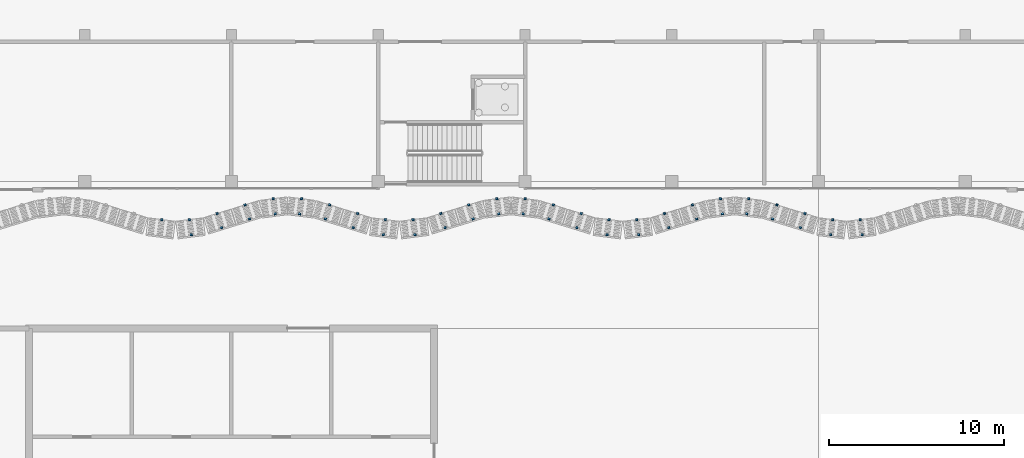
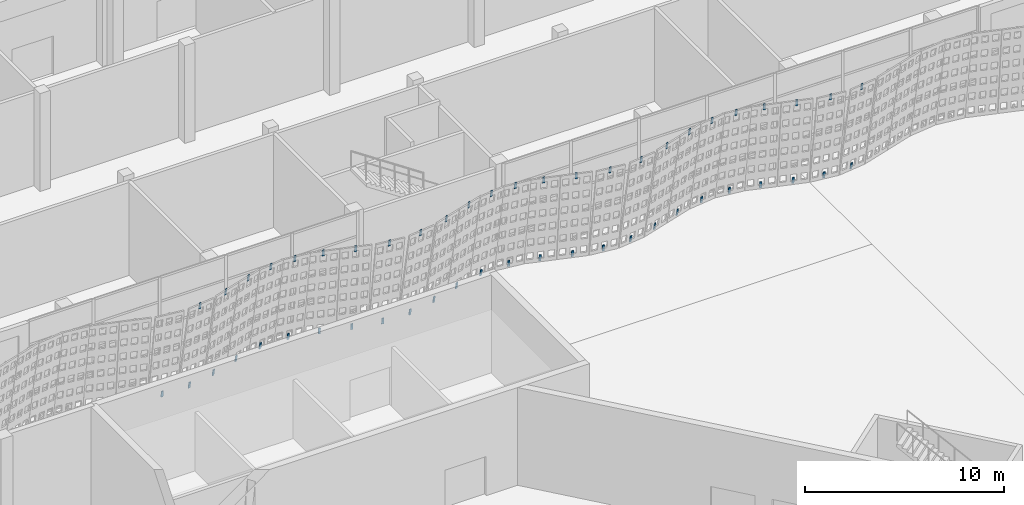
# One storey, part 144 of 210: 51 discrete accessories.
"""IFC4 building model written with IfcOpenShell, lengths in metres."""

from ifc_helpers import new_model, si_unit, direction, frame, origin, origin_2d, place, context, subcontext, project, spatial, rectangle, extrude, material, material_profile, profile_set, type_object, element, save


model = new_model("IFC4")

# Units and contexts
model_context = context("Model", 3, precision=1e-05, world=origin(), true_north=direction((0.0, 1.0)))
body_context = subcontext(model_context, "Body", "Model", "MODEL_VIEW")
ifc_project = project(units=[si_unit("LENGTHUNIT", "METRE"), si_unit("AREAUNIT", "SQUARE_METRE"), si_unit("VOLUMEUNIT", "CUBIC_METRE"), si_unit("PLANEANGLEUNIT", "RADIAN"), si_unit("MASSUNIT", "GRAM", prefix="KILO")], contexts=[model_context])

# Site, building, storey
site_placement = place(None, origin())
site = spatial("IfcSite", under=ifc_project, at=site_placement, CompositionType="ELEMENT")
building_placement = place(site_placement, origin())
building = spatial("IfcBuilding", under=site, at=building_placement, Name="Rain Tree Exposition and Congress Centre", CompositionType="ELEMENT")
storey_placement = place(building_placement, origin())
storey = spatial("IfcBuildingStorey", under=building, at=storey_placement, Name="L00", CompositionType="ELEMENT", Elevation=0.0)

# Discrete accessories
ifc_material = material(Name="Steel S355J2", Category="steel")
ifc_material_profile = material_profile(ifc_material, rectangle(XDim=0.1201171875, YDim=0.050048828125, at=origin_2d()), Name="Flat bar 120x50")
ifc_profile_set = profile_set([ifc_material_profile], Name="Steel S355J2")
discrete_accessory_type = type_object("IfcDiscreteAccessoryType", Name="Screen bracket 120x50", PredefinedType="BRACKET", material=ifc_profile_set)
for number, where, z_axis, x_axis, name in (
    (1, (197.611572265625, 73.45556640625, 0.00390625), (-0.020749404626, -0.160502747552, 0.986817272972), (0.991746960377, -0.128210633661, 0.0), "concourse/bracket/L00/1241b"),
    (2, (199.2998046875, 72.586181640625, 5.351318359375), (0.020749404626, -0.160502747552, 0.986817272972), (0.991746960377, 0.128210633661, 0.0), "concourse/bracket/L00/1251t"),
    (3, (199.1884765625, 73.45556640625, 0.00390625), (0.020749404626, -0.160502747552, 0.986817272972), (0.991746960377, 0.128210633661, 0.0), "concourse/bracket/L00/1251b"),
):
    element("IfcDiscreteAccessory", number, at=place(storey_placement, frame(where, z_axis=z_axis, x_axis=x_axis)), inside=storey, type_object=discrete_accessory_type, Name=name, PredefinedType="BRACKET", context=body_context, shape_type="SweptSolid", body=[
        extrude(rectangle(XDim=0.1201171875, YDim=0.050048828125, at=origin_2d()), origin(), (0.0, 0.0, 1.0), 0.400146484375),
    ])
for number, where, z_axis, x_axis, name in (
    (4, (201.022216796875, 72.99609375, 5.35107421875), (0.045783024094, -0.149557878708, 0.987692439791), (0.956199955507, 0.292714272094, 0.0), "concourse/bracket/L00/1261t"),
    (5, (200.772705078125, 73.802490234375, 0.00390625), (0.045787195948, -0.148961010819, 0.987782440593), (0.955863671221, 0.293810554678, 0.0), "concourse/bracket/L00/1261b"),
    (6, (202.618896484375, 73.489990234375, 5.35107421875), (0.045787195948, -0.148961010819, 0.987782440593), (0.955863671221, 0.293810554678, 0.0), "concourse/bracket/L00/1271t"),
    (7, (202.369384765625, 74.29638671875, 0.00390625), (0.045787195948, -0.148961010819, 0.987782440593), (0.955863671221, 0.293810554678, 0.0), "concourse/bracket/L00/1271b"),
):
    element("IfcDiscreteAccessory", number, at=place(storey_placement, frame(where, z_axis=z_axis, x_axis=x_axis)), inside=storey, type_object=discrete_accessory_type, Name=name, PredefinedType="BRACKET", context=body_context, shape_type="SweptSolid", body=[
        extrude(rectangle(XDim=0.1201171875, YDim=0.050048828125, at=origin_2d()), origin(), (0.0, 0.0, 1.0), 0.39990234375),
    ])
for number, where, z_axis, x_axis, name in (
    (8, (204.09814453125, 73.781005859375, 5.351318359375), (0.020749404626, -0.160502747552, 0.986817272972), (0.991746960377, 0.128210633661, 0.0), "concourse/bracket/L00/1281t"),
    (9, (203.98681640625, 74.650390625, 0.00390625), (0.020749404626, -0.160502747552, 0.986817272972), (0.991746960377, 0.128210633661, 0.0), "concourse/bracket/L00/1281b"),
    (10, (205.501708984375, 73.781005859375, 5.351318359375), (-0.020139379294, -0.160504750127, 0.986829585384), (0.992219726556, -0.124499053142, 0.0), "concourse/bracket/L00/1291t"),
    (11, (205.61328125, 74.650390625, 0.00390625), (-0.020749404626, -0.160502747552, 0.986817272972), (0.991746960377, -0.128210633661, 0.0), "concourse/bracket/L00/1291b"),
):
    element("IfcDiscreteAccessory", number, at=place(storey_placement, frame(where, z_axis=z_axis, x_axis=x_axis)), inside=storey, type_object=discrete_accessory_type, Name=name, PredefinedType="BRACKET", context=body_context, shape_type="SweptSolid", body=[
        extrude(rectangle(XDim=0.1201171875, YDim=0.050048828125, at=origin_2d()), origin(), (0.0, 0.0, 1.0), 0.400146484375),
    ])
for number, where, z_axis, x_axis, name in (
    (12, (206.981201171875, 73.489990234375, 5.35107421875), (-0.046396386353, -0.148956819344, 0.987754646309), (0.954758063246, -0.297383659044, 0.0), "concourse/bracket/L00/1301t"),
    (13, (207.230712890625, 74.29638671875, 0.00390625), (-0.046396386353, -0.148956819344, 0.987754646309), (0.954758063246, -0.297383659044, 0.0), "concourse/bracket/L00/1301b"),
    (14, (208.577880859375, 72.99609375, 5.35107421875), (-0.046392159231, -0.149553671205, 0.987664653104), (0.955102182504, -0.296276595389, 0.0), "concourse/bracket/L00/1311t"),
    (15, (208.827392578125, 73.802490234375, 0.00390625), (-0.046396386353, -0.148956819344, 0.987754646309), (0.954758063246, -0.297383659044, 0.0), "concourse/bracket/L00/1311b"),
):
    element("IfcDiscreteAccessory", number, at=place(storey_placement, frame(where, z_axis=z_axis, x_axis=x_axis)), inside=storey, type_object=discrete_accessory_type, Name=name, PredefinedType="BRACKET", context=body_context, shape_type="SweptSolid", body=[
        extrude(rectangle(XDim=0.1201171875, YDim=0.050048828125, at=origin_2d()), origin(), (0.0, 0.0, 1.0), 0.39990234375),
    ])
for number, where, z_axis, x_axis, name in (
    (16, (210.300048828125, 72.586181640625, 5.351318359375), (-0.020139379294, -0.160504750127, 0.986829585384), (0.992219726556, -0.124499053142, 0.0), "concourse/bracket/L00/1321t"),
    (17, (210.41162109375, 73.45556640625, 0.00390625), (-0.020749404626, -0.160502747552, 0.986817272972), (0.991746960377, -0.128210633661, 0.0), "concourse/bracket/L00/1321b"),
    (18, (212.099853515625, 72.586181640625, 5.351318359375), (0.020749404626, -0.160502747552, 0.986817272972), (0.991746960377, 0.128210633661, 0.0), "concourse/bracket/L00/1331t"),
    (19, (211.988525390625, 73.45556640625, 0.00390625), (0.020139379294, -0.160504750127, 0.986829585384), (0.992219726556, 0.124499053142, 0.0), "concourse/bracket/L00/1331b"),
):
    element("IfcDiscreteAccessory", number, at=place(storey_placement, frame(where, z_axis=z_axis, x_axis=x_axis)), inside=storey, type_object=discrete_accessory_type, Name=name, PredefinedType="BRACKET", context=body_context, shape_type="SweptSolid", body=[
        extrude(rectangle(XDim=0.1201171875, YDim=0.050048828125, at=origin_2d()), origin(), (0.0, 0.0, 1.0), 0.400146484375),
    ])
for number, where, z_axis, x_axis, name in (
    (20, (213.822265625, 72.99609375, 5.35107421875), (0.045783024094, -0.149557878708, 0.987692439791), (0.956199955507, 0.292714272094, 0.0), "concourse/bracket/L00/1341t"),
    (21, (213.57275390625, 73.802490234375, 0.00390625), (0.045787195948, -0.148961010819, 0.987782440593), (0.955863671221, 0.293810554678, 0.0), "concourse/bracket/L00/1341b"),
    (22, (215.4189453125, 73.489990234375, 5.35107421875), (0.045787195948, -0.148961010819, 0.987782440593), (0.955863671221, 0.293810554678, 0.0), "concourse/bracket/L00/1351t"),
    (23, (215.16943359375, 74.29638671875, 0.00390625), (0.045787195948, -0.148961010819, 0.987782440593), (0.955863671221, 0.293810554678, 0.0), "concourse/bracket/L00/1351b"),
):
    element("IfcDiscreteAccessory", number, at=place(storey_placement, frame(where, z_axis=z_axis, x_axis=x_axis)), inside=storey, type_object=discrete_accessory_type, Name=name, PredefinedType="BRACKET", context=body_context, shape_type="SweptSolid", body=[
        extrude(rectangle(XDim=0.1201171875, YDim=0.050048828125, at=origin_2d()), origin(), (0.0, 0.0, 1.0), 0.39990234375),
    ])
for number, where, z_axis, x_axis, name in (
    (24, (216.898193359375, 73.781005859375, 5.351318359375), (0.020749404626, -0.160502747552, 0.986817272972), (0.991746960377, 0.128210633661, 0.0), "concourse/bracket/L00/1361t"),
    (25, (216.786865234375, 74.650390625, 0.00390625), (0.020139379294, -0.160504750127, 0.986829585384), (0.992219726556, 0.124499053142, 0.0), "concourse/bracket/L00/1361b"),
    (26, (218.3017578125, 73.781005859375, 5.351318359375), (-0.020139379294, -0.160504750127, 0.986829585384), (0.992219726556, -0.124499053142, 0.0), "concourse/bracket/L00/1371t"),
    (27, (218.4130859375, 74.650390625, 0.00390625), (-0.020139379294, -0.160504750127, 0.986829585384), (0.992219726556, -0.124499053142, 0.0), "concourse/bracket/L00/1371b"),
):
    element("IfcDiscreteAccessory", number, at=place(storey_placement, frame(where, z_axis=z_axis, x_axis=x_axis)), inside=storey, type_object=discrete_accessory_type, Name=name, PredefinedType="BRACKET", context=body_context, shape_type="SweptSolid", body=[
        extrude(rectangle(XDim=0.1201171875, YDim=0.050048828125, at=origin_2d()), origin(), (0.0, 0.0, 1.0), 0.400146484375),
    ])
for number, where, z_axis, x_axis, name in (
    (28, (219.781005859375, 73.489990234375, 5.35107421875), (-0.045787195948, -0.148961010819, 0.987782440593), (0.955863671221, -0.293810554678, 0.0), "concourse/bracket/L00/1381t"),
    (29, (220.030517578125, 74.29638671875, 0.00390625), (-0.045787195948, -0.148961010819, 0.987782440593), (0.955863671221, -0.293810554678, 0.0), "concourse/bracket/L00/1381b"),
    (30, (221.377685546875, 72.99609375, 5.35107421875), (-0.045783024094, -0.149557878708, 0.987692439791), (0.956199955507, -0.292714272094, 0.0), "concourse/bracket/L00/1391t"),
    (31, (221.627197265625, 73.802490234375, 0.00390625), (-0.045787195948, -0.148961010819, 0.987782440593), (0.955863671221, -0.293810554678, 0.0), "concourse/bracket/L00/1391b"),
):
    element("IfcDiscreteAccessory", number, at=place(storey_placement, frame(where, z_axis=z_axis, x_axis=x_axis)), inside=storey, type_object=discrete_accessory_type, Name=name, PredefinedType="BRACKET", context=body_context, shape_type="SweptSolid", body=[
        extrude(rectangle(XDim=0.1201171875, YDim=0.050048828125, at=origin_2d()), origin(), (0.0, 0.0, 1.0), 0.39990234375),
    ])
for number, where, z_axis, x_axis, name in (
    (32, (223.10009765625, 72.586181640625, 5.351318359375), (-0.020749404626, -0.160502747552, 0.986817272972), (0.991746960377, -0.128210633661, 0.0), "concourse/bracket/L00/1401t"),
    (33, (223.21142578125, 73.45556640625, 0.00390625), (-0.020139379294, -0.160504750127, 0.986829585384), (0.992219726556, -0.124499053142, 0.0), "concourse/bracket/L00/1401b"),
    (34, (224.89990234375, 72.586181640625, 5.351318359375), (0.020749404626, -0.160502747552, 0.986817272972), (0.991746960377, 0.128210633661, 0.0), "concourse/bracket/L00/1411t"),
    (35, (224.78857421875, 73.45556640625, 0.00390625), (0.020139379294, -0.160504750127, 0.986829585384), (0.992219726556, 0.124499053142, 0.0), "concourse/bracket/L00/1411b"),
):
    element("IfcDiscreteAccessory", number, at=place(storey_placement, frame(where, z_axis=z_axis, x_axis=x_axis)), inside=storey, type_object=discrete_accessory_type, Name=name, PredefinedType="BRACKET", context=body_context, shape_type="SweptSolid", body=[
        extrude(rectangle(XDim=0.1201171875, YDim=0.050048828125, at=origin_2d()), origin(), (0.0, 0.0, 1.0), 0.400146484375),
    ])
for number, where, z_axis, x_axis, name in (
    (36, (226.622314453125, 72.99609375, 5.35107421875), (0.045783024094, -0.149557878708, 0.987692439791), (0.956199955507, 0.292714272094, 0.0), "concourse/bracket/L00/1421t"),
    (37, (226.372802734375, 73.802490234375, 0.00390625), (0.045787195948, -0.148961010819, 0.987782440593), (0.955863671221, 0.293810554678, 0.0), "concourse/bracket/L00/1421b"),
    (38, (228.218994140625, 73.489990234375, 5.35107421875), (0.045787195948, -0.148961010819, 0.987782440593), (0.955863671221, 0.293810554678, 0.0), "concourse/bracket/L00/1431t"),
    (39, (227.969482421875, 74.29638671875, 0.00390625), (0.045787195948, -0.148961010819, 0.987782440593), (0.955863671221, 0.293810554678, 0.0), "concourse/bracket/L00/1431b"),
):
    element("IfcDiscreteAccessory", number, at=place(storey_placement, frame(where, z_axis=z_axis, x_axis=x_axis)), inside=storey, type_object=discrete_accessory_type, Name=name, PredefinedType="BRACKET", context=body_context, shape_type="SweptSolid", body=[
        extrude(rectangle(XDim=0.1201171875, YDim=0.050048828125, at=origin_2d()), origin(), (0.0, 0.0, 1.0), 0.39990234375),
    ])
for number, where, z_axis, x_axis, name in (
    (40, (229.6982421875, 73.781005859375, 5.351318359375), (0.020139379294, -0.160504750127, 0.986829585384), (0.992219726556, 0.124499053142, 0.0), "concourse/bracket/L00/1441t"),
    (41, (229.5869140625, 74.650390625, 0.00390625), (0.020139379294, -0.160504750127, 0.986829585384), (0.992219726556, 0.124499053142, 0.0), "concourse/bracket/L00/1441b"),
    (42, (231.101806640625, 73.781005859375, 5.351318359375), (-0.020749404626, -0.160502747552, 0.986817272972), (0.991746960377, -0.128210633661, 0.0), "concourse/bracket/L00/1451t"),
    (43, (231.213134765625, 74.650390625, 0.00390625), (-0.020139379294, -0.160504750127, 0.986829585384), (0.992219726556, -0.124499053142, 0.0), "concourse/bracket/L00/1451b"),
):
    element("IfcDiscreteAccessory", number, at=place(storey_placement, frame(where, z_axis=z_axis, x_axis=x_axis)), inside=storey, type_object=discrete_accessory_type, Name=name, PredefinedType="BRACKET", context=body_context, shape_type="SweptSolid", body=[
        extrude(rectangle(XDim=0.1201171875, YDim=0.050048828125, at=origin_2d()), origin(), (0.0, 0.0, 1.0), 0.400146484375),
    ])
for number, where, z_axis, x_axis, name in (
    (44, (232.5810546875, 73.489990234375, 5.35107421875), (-0.045787195948, -0.148961010819, 0.987782440593), (0.955863671221, -0.293810554678, 0.0), "concourse/bracket/L00/1461t"),
    (45, (232.83056640625, 74.29638671875, 0.00390625), (-0.045787195948, -0.148961010819, 0.987782440593), (0.955863671221, -0.293810554678, 0.0), "concourse/bracket/L00/1461b"),
    (46, (234.177734375, 72.99609375, 5.35107421875), (-0.045783024094, -0.149557878708, 0.987692439791), (0.956199955507, -0.292714272094, 0.0), "concourse/bracket/L00/1471t"),
    (47, (234.42724609375, 73.802490234375, 0.00390625), (-0.045787195948, -0.148961010819, 0.987782440593), (0.955863671221, -0.293810554678, 0.0), "concourse/bracket/L00/1471b"),
):
    element("IfcDiscreteAccessory", number, at=place(storey_placement, frame(where, z_axis=z_axis, x_axis=x_axis)), inside=storey, type_object=discrete_accessory_type, Name=name, PredefinedType="BRACKET", context=body_context, shape_type="SweptSolid", body=[
        extrude(rectangle(XDim=0.1201171875, YDim=0.050048828125, at=origin_2d()), origin(), (0.0, 0.0, 1.0), 0.39990234375),
    ])
for number, where, z_axis, x_axis, name in (
    (48, (235.900146484375, 72.586181640625, 5.351318359375), (-0.020749404626, -0.160502747552, 0.986817272972), (0.991746960377, -0.128210633661, 0.0), "concourse/bracket/L00/1481t"),
    (49, (236.011474609375, 73.45556640625, 0.00390625), (-0.020139379294, -0.160504750127, 0.986829585384), (0.992219726556, -0.124499053142, 0.0), "concourse/bracket/L00/1481b"),
    (50, (237.699951171875, 72.586181640625, 5.351318359375), (0.020139379294, -0.160504750127, 0.986829585384), (0.992219726556, 0.124499053142, 0.0), "concourse/bracket/L00/1491t"),
    (51, (237.58837890625, 73.45556640625, 0.00390625), (0.020749404626, -0.160502747552, 0.986817272972), (0.991746960377, 0.128210633661, 0.0), "concourse/bracket/L00/1491b"),
):
    element("IfcDiscreteAccessory", number, at=place(storey_placement, frame(where, z_axis=z_axis, x_axis=x_axis)), inside=storey, type_object=discrete_accessory_type, Name=name, PredefinedType="BRACKET", context=body_context, shape_type="SweptSolid", body=[
        extrude(rectangle(XDim=0.1201171875, YDim=0.050048828125, at=origin_2d()), origin(), (0.0, 0.0, 1.0), 0.400146484375),
    ])

save(model, "model.ifc")
